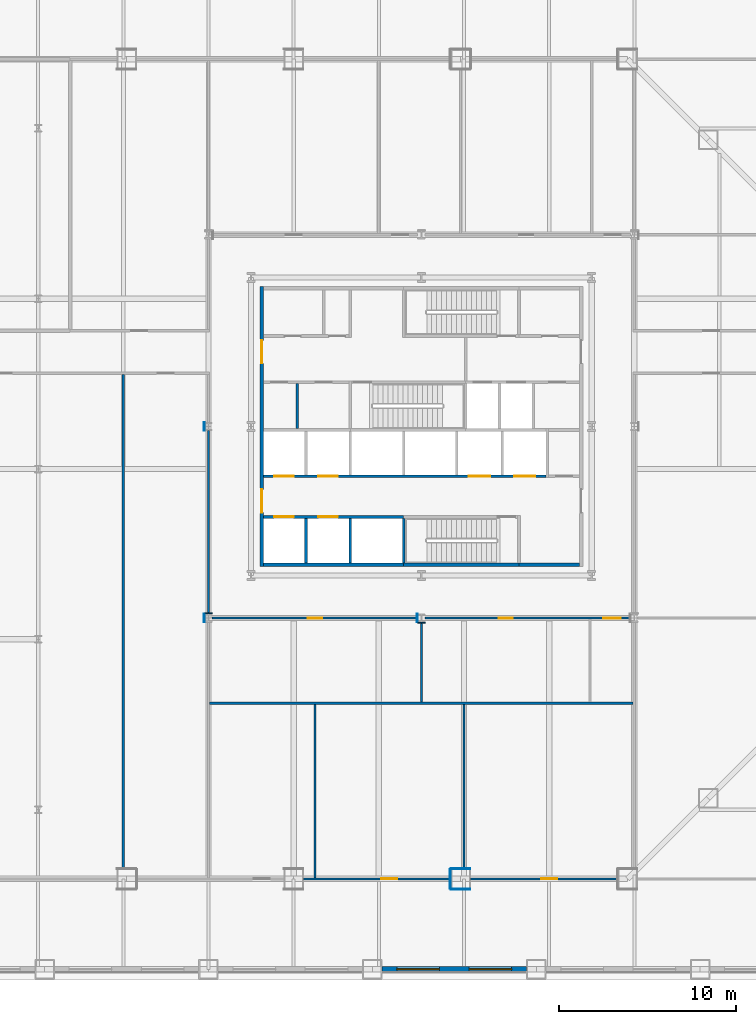
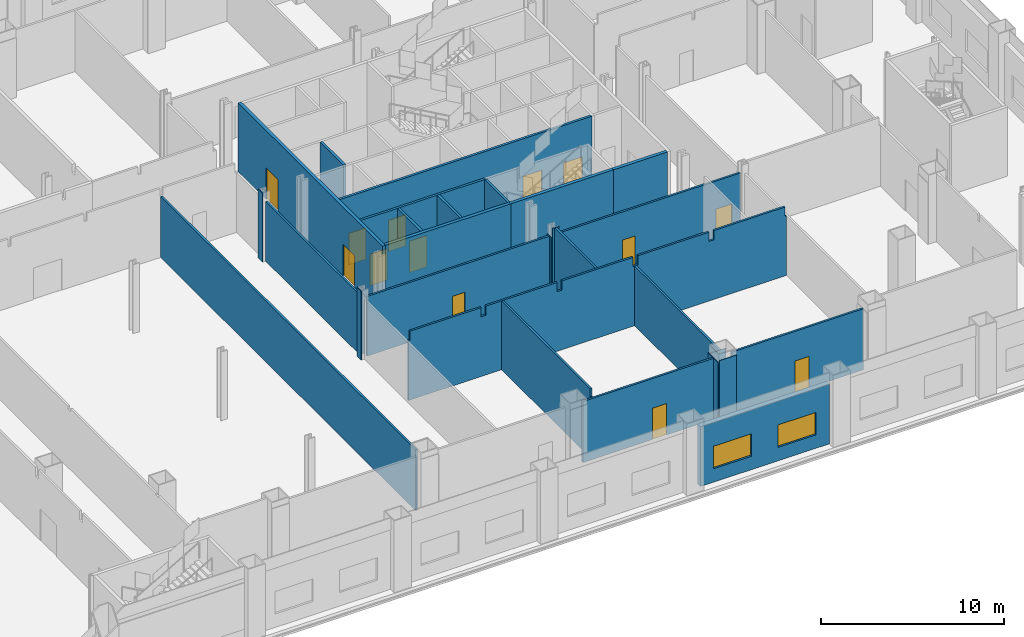
# One storey, part 13 of 26: 29 walls, 13 doors, 2 windows, 15 openings.
"""IFC4 building model written with IfcOpenShell, lengths in metres."""

from ifc_helpers import new_model, si_unit, direction, frame, frame_2d, origin, place, context, subcontext, project, spatial, polyline, rectangle, outline, extrude, material, layer, layer_set, type_object, element, fill, save


model = new_model("IFC4")

# Units and contexts
model_context = context("Model", 3, precision=1e-05, world=origin(), true_north=direction((0.0, 1.0)))
body_context = subcontext(model_context, "Body", "Model", "MODEL_VIEW")
ifc_project = project(units=[si_unit("LENGTHUNIT", "METRE"), si_unit("AREAUNIT", "SQUARE_METRE"), si_unit("VOLUMEUNIT", "CUBIC_METRE"), si_unit("PLANEANGLEUNIT", "RADIAN"), si_unit("MASSUNIT", "GRAM", prefix="KILO")], contexts=[model_context])

# Site, building, storey
site_placement = place(None, origin())
site = spatial("IfcSite", under=ifc_project, at=site_placement, CompositionType="ELEMENT")
building_placement = place(site_placement, origin())
building = spatial("IfcBuilding", under=site, at=building_placement, Name="Cairn Pilgrim Tower", CompositionType="ELEMENT")
storey_placement = place(building_placement, frame((0.0, 0.0, 21.0)))
storey = spatial("IfcBuildingStorey", under=building, at=storey_placement, Name="L03", CompositionType="ELEMENT", Elevation=21.0)

# Walls
ifc_material_1 = material(Name="Concrete C32/40", Category="concrete")
ifc_layer_1 = layer(ifc_material_1, 0.199951171875)
ifc_layer_set_1 = layer_set([ifc_layer_1], Name="CORE OUTER WALL 200 EI 120")
wall_type_1 = type_object("IfcWallType", Name="CORE OUTER WALL 200 EI 120", PredefinedType="SOLIDWALL", material=ifc_layer_set_1)
wall_1_placement = place(storey_placement, frame((-1.699951171875, -5.39990234375, 0.0), z_axis=(0.0, 0.0, 1.0), x_axis=(1.0, 0.0, 0.0)))
element("IfcWall", 1, at=wall_1_placement, inside=storey, type_object=wall_type_1, Name="CW:L03:H01-1", PredefinedType="SOLIDWALL", context=body_context, shape_type="SweptSolid", body=[
    extrude(rectangle(XDim=7.89990234375, YDim=0.199951171875, at=frame_2d((3.949951171875, 0.0))), origin(), (0.0, 0.0, 1.0), 4.60009765625),
])
wall_2_placement = place(storey_placement, frame((12.699951171875, -5.39990234375, 0.0), z_axis=(0.0, 0.0, 1.0), x_axis=(1.0, 0.0, 0.0)))
element("IfcWall", 2, at=wall_2_placement, inside=storey, type_object=wall_type_1, Name="CW:L03:H01-3", PredefinedType="SOLIDWALL", context=body_context, shape_type="SweptSolid", body=[
    extrude(rectangle(XDim=3.400146484375, YDim=0.199951171875, at=frame_2d((1.7001953125, 0.0))), origin(), (0.0, 0.0, 1.0), 4.60009765625),
])

# Wall, openings, doors
wall_3_placement = place(storey_placement, frame((-1.800048828125, -5.5, 0.0), z_axis=(0.0, 0.0, 1.0), x_axis=(0.0, 1.0, 0.0)))
wall_3 = element("IfcWall", 3, at=wall_3_placement, inside=storey, type_object=wall_type_1, Name="CW:L03:V12", PredefinedType="SOLIDWALL", context=body_context, shape_type="SweptSolid", body=[
    extrude(rectangle(XDim=15.800048828125, YDim=0.199951171875, at=frame_2d((7.89990234375, 0.0))), origin(), (0.0, 0.0, 1.0), 4.60009765625),
])
opening_1_placement = place(wall_3_placement, frame((3.050048828125, 0.0, 0.0)))
opening_1 = element("IfcOpeningElement", 4, at=opening_1_placement, cuts=wall_3, Name="Opening CD-W1", PredefinedType="OPENING", context=body_context, shape_type="SweptSolid", body=[
    extrude(rectangle(XDim=1.300048828125, YDim=2.10009765625, at=frame_2d((0.64990234375, 1.050048828125))), frame((0.0, 0.10986328125, 0.0), z_axis=(0.0, -1.0, 0.0), x_axis=(1.0, 0.0, 0.0)), (0.0, 0.0, 1.0), 0.219970703125),
])
opening_2_placement = place(wall_3_placement, frame((11.449951171875, 0.0, 0.0)))
opening_2 = element("IfcOpeningElement", 5, at=opening_2_placement, cuts=wall_3, Name="Opening CD-W2", PredefinedType="OPENING", context=body_context, shape_type="SweptSolid", body=[
    extrude(rectangle(XDim=1.300048828125, YDim=2.10009765625, at=frame_2d((0.64990234375, 1.050048828125))), frame((0.0, 0.10986328125, 0.0), z_axis=(0.0, -1.0, 0.0), x_axis=(1.0, 0.0, 0.0)), (0.0, 0.0, 1.0), 0.219970703125),
])
ifc_material_2 = material(Name="Painted steel", Category="steel")
door_type_1 = type_object("IfcDoorType", Name="CORE LOBBY DOOR 1300x2100", OperationType="DOUBLE_DOOR_SINGLE_SWING", PredefinedType="DOOR", material=ifc_material_2)
door_1_placement = place(opening_1_placement, origin())
door_1 = element("IfcDoor", 6, at=door_1_placement, inside=storey, type_object=door_type_1, Name="CD-W1", OperationType="DOUBLE_DOOR_SINGLE_SWING", OverallHeight=2.10009765625, OverallWidth=1.300048828125, PredefinedType="DOOR", context=body_context, shape_type="SweptSolid", body=[
    extrude(rectangle(XDim=1.300048828125, YDim=2.10009765625, at=frame_2d((0.64990234375, 1.050048828125))), frame((0.0, 0.02490234375, 0.0), z_axis=(0.0, -1.0, 0.0), x_axis=(1.0, 0.0, 0.0)), (0.0, 0.0, 1.0), 0.050048828125),
])
fill(opening_1, door_1)
door_2_placement = place(opening_2_placement, origin())
door_2 = element("IfcDoor", 7, at=door_2_placement, inside=storey, type_object=door_type_1, Name="CD-W2", OperationType="DOUBLE_DOOR_SINGLE_SWING", OverallHeight=2.10009765625, OverallWidth=1.300048828125, PredefinedType="DOOR", context=body_context, shape_type="SweptSolid", body=[
    extrude(rectangle(XDim=1.300048828125, YDim=2.10009765625, at=frame_2d((0.64990234375, 1.050048828125))), frame((0.0, 0.02490234375, 0.0), z_axis=(0.0, -1.0, 0.0), x_axis=(1.0, 0.0, 0.0)), (0.0, 0.0, 1.0), 0.050048828125),
])
fill(opening_2, door_2)

# Wall
ifc_layer_2 = layer(ifc_material_1, 0.14990234375)
ifc_layer_set_2 = layer_set([ifc_layer_2], Name="CORE PARTITION 150 EI 60")
wall_type_2 = type_object("IfcWallType", Name="CORE PARTITION 150 EI 60", PredefinedType="PARTITIONING", material=ifc_layer_set_2)
wall_4_placement = place(storey_placement, frame((0.199951171875, 2.27490234375, 0.0), z_axis=(0.0, 0.0, 1.0), x_axis=(0.0, 1.0, 0.0)))
element("IfcWall", 8, at=wall_4_placement, inside=storey, type_object=wall_type_2, Name="CW:L03:V13", PredefinedType="PARTITIONING", context=body_context, shape_type="SweptSolid", body=[
    extrude(rectangle(XDim=2.550048828125, YDim=0.14990234375, at=frame_2d((1.27490234375, 0.0))), origin(), (0.0, 0.0, 1.0), 4.60009765625),
])

# Wall, openings, doors
ifc_layer_3 = layer(ifc_material_1, 0.14990234375)
ifc_layer_set_3 = layer_set([ifc_layer_3], Name="CORE SHAFT WALL 150 EI 120")
wall_type_3 = type_object("IfcWallType", Name="CORE SHAFT WALL 150 EI 120", PredefinedType="SOLIDWALL", material=ifc_layer_set_3)
wall_5_placement = place(storey_placement, frame((-1.699951171875, -2.699951171875, 0.0), z_axis=(0.0, 0.0, 1.0), x_axis=(1.0, 0.0, 0.0)))
wall_5 = element("IfcWall", 9, at=wall_5_placement, inside=storey, type_object=wall_type_3, Name="CW:L03:H02-1", PredefinedType="SOLIDWALL", context=body_context, shape_type="SweptSolid", body=[
    extrude(rectangle(XDim=7.89990234375, YDim=0.14990234375, at=frame_2d((3.949951171875, 0.0))), origin(), (0.0, 0.0, 1.0), 4.60009765625),
])
opening_3_placement = place(wall_5_placement, frame((0.60009765625, 0.0, 0.0)))
opening_3 = element("IfcOpeningElement", 10, at=opening_3_placement, cuts=wall_5, Name="Opening LD-LR1", PredefinedType="OPENING", context=body_context, shape_type="SweptSolid", body=[
    extrude(rectangle(XDim=1.10009765625, YDim=2.10009765625, at=frame_2d((0.550048828125, 1.050048828125))), frame((0.0, 0.0849609375, 0.0), z_axis=(0.0, -1.0, 0.0), x_axis=(1.0, 0.0, 0.0)), (0.0, 0.0, 1.0), 0.169921875),
])
opening_4_placement = place(wall_5_placement, frame((3.10009765625, 0.0, 0.0)))
opening_4 = element("IfcOpeningElement", 11, at=opening_4_placement, cuts=wall_5, Name="Opening LD-LR2", PredefinedType="OPENING", context=body_context, shape_type="SweptSolid", body=[
    extrude(rectangle(XDim=1.10009765625, YDim=2.10009765625, at=frame_2d((0.550048828125, 1.050048828125))), frame((0.0, 0.0849609375, 0.0), z_axis=(0.0, -1.0, 0.0), x_axis=(1.0, 0.0, 0.0)), (0.0, 0.0, 1.0), 0.169921875),
])
ifc_material_3 = material(Name="Stainless steel", Category="steel")
door_type_2 = type_object("IfcDoorType", Name="LIFT LANDING DOOR 1100x2100", OperationType="DOUBLE_DOOR_SLIDING", PredefinedType="DOOR", material=ifc_material_3)
door_3_placement = place(opening_3_placement, origin())
door_3 = element("IfcDoor", 12, at=door_3_placement, inside=storey, type_object=door_type_2, Name="LANDING DOOR LR1", OperationType="DOUBLE_DOOR_SLIDING", OverallHeight=2.10009765625, OverallWidth=1.10009765625, PredefinedType="DOOR", context=body_context, shape_type="SweptSolid", body=[
    extrude(rectangle(XDim=1.10009765625, YDim=2.10009765625, at=frame_2d((0.550048828125, 1.050048828125))), frame((0.0, 0.02490234375, 0.0), z_axis=(0.0, -1.0, 0.0), x_axis=(1.0, 0.0, 0.0)), (0.0, 0.0, 1.0), 0.050048828125),
])
fill(opening_3, door_3)
door_4_placement = place(opening_4_placement, origin())
door_4 = element("IfcDoor", 13, at=door_4_placement, inside=storey, type_object=door_type_2, Name="LANDING DOOR LR2", OperationType="DOUBLE_DOOR_SLIDING", OverallHeight=2.10009765625, OverallWidth=1.10009765625, PredefinedType="DOOR", context=body_context, shape_type="SweptSolid", body=[
    extrude(rectangle(XDim=1.10009765625, YDim=2.10009765625, at=frame_2d((0.550048828125, 1.050048828125))), frame((0.0, 0.02490234375, 0.0), z_axis=(0.0, -1.0, 0.0), x_axis=(1.0, 0.0, 0.0)), (0.0, 0.0, 1.0), 0.050048828125),
])
fill(opening_4, door_4)

wall_6_placement = place(storey_placement, frame((-1.699951171875, -0.39990234375, 0.0), z_axis=(0.0, 0.0, 1.0), x_axis=(1.0, 0.0, 0.0)))
wall_6 = element("IfcWall", 14, at=wall_6_placement, inside=storey, type_object=wall_type_3, Name="CW:L03:H03", PredefinedType="SOLIDWALL", context=body_context, shape_type="SweptSolid", body=[
    extrude(rectangle(XDim=15.925048828125, YDim=0.14990234375, at=frame_2d((7.96240234375, 0.0))), origin(), (0.0, 0.0, 1.0), 4.60009765625),
])
opening_5_placement = place(wall_6_placement, frame((0.60009765625, 0.0, 0.0)))
opening_5 = element("IfcOpeningElement", 15, at=opening_5_placement, cuts=wall_6, Name="Opening LD-LR3", PredefinedType="OPENING", context=body_context, shape_type="SweptSolid", body=[
    extrude(rectangle(XDim=1.10009765625, YDim=2.10009765625, at=frame_2d((0.550048828125, 1.050048828125))), frame((0.0, 0.0849609375, 0.0), z_axis=(0.0, -1.0, 0.0), x_axis=(1.0, 0.0, 0.0)), (0.0, 0.0, 1.0), 0.169921875),
])
opening_6_placement = place(wall_6_placement, frame((3.10009765625, 0.0, 0.0)))
opening_6 = element("IfcOpeningElement", 16, at=opening_6_placement, cuts=wall_6, Name="Opening LD-LR4", PredefinedType="OPENING", context=body_context, shape_type="SweptSolid", body=[
    extrude(rectangle(XDim=1.10009765625, YDim=2.10009765625, at=frame_2d((0.550048828125, 1.050048828125))), frame((0.0, 0.0849609375, 0.0), z_axis=(0.0, -1.0, 0.0), x_axis=(1.0, 0.0, 0.0)), (0.0, 0.0, 1.0), 0.169921875),
])
opening_7_placement = place(wall_6_placement, frame((11.574951171875, 0.0, 0.0)))
opening_7 = element("IfcOpeningElement", 17, at=opening_7_placement, cuts=wall_6, Name="Opening LD-SV1", PredefinedType="OPENING", context=body_context, shape_type="SweptSolid", body=[
    extrude(rectangle(XDim=1.199951171875, YDim=2.10009765625, at=frame_2d((0.60009765625, 1.050048828125))), frame((0.0, 0.0849609375, 0.0), z_axis=(0.0, -1.0, 0.0), x_axis=(1.0, 0.0, 0.0)), (0.0, 0.0, 1.0), 0.169921875),
])
opening_8_placement = place(wall_6_placement, frame((14.125, 0.0, 0.0)))
opening_8 = element("IfcOpeningElement", 18, at=opening_8_placement, cuts=wall_6, Name="Opening LD-SV2", PredefinedType="OPENING", context=body_context, shape_type="SweptSolid", body=[
    extrude(rectangle(XDim=1.199951171875, YDim=2.10009765625, at=frame_2d((0.60009765625, 1.050048828125))), frame((0.0, 0.0849609375, 0.0), z_axis=(0.0, -1.0, 0.0), x_axis=(1.0, 0.0, 0.0)), (0.0, 0.0, 1.0), 0.169921875),
])
door_5_placement = place(opening_5_placement, origin())
door_5 = element("IfcDoor", 19, at=door_5_placement, inside=storey, type_object=door_type_2, Name="LANDING DOOR LR3", OperationType="DOUBLE_DOOR_SLIDING", OverallHeight=2.10009765625, OverallWidth=1.10009765625, PredefinedType="DOOR", context=body_context, shape_type="SweptSolid", body=[
    extrude(rectangle(XDim=1.10009765625, YDim=2.10009765625, at=frame_2d((0.550048828125, 1.050048828125))), frame((0.0, 0.02490234375, 0.0), z_axis=(0.0, -1.0, 0.0), x_axis=(1.0, 0.0, 0.0)), (0.0, 0.0, 1.0), 0.050048828125),
])
fill(opening_5, door_5)
door_6_placement = place(opening_6_placement, origin())
door_6 = element("IfcDoor", 20, at=door_6_placement, inside=storey, type_object=door_type_2, Name="LANDING DOOR LR4", OperationType="DOUBLE_DOOR_SLIDING", OverallHeight=2.10009765625, OverallWidth=1.10009765625, PredefinedType="DOOR", context=body_context, shape_type="SweptSolid", body=[
    extrude(rectangle(XDim=1.10009765625, YDim=2.10009765625, at=frame_2d((0.550048828125, 1.050048828125))), frame((0.0, 0.02490234375, 0.0), z_axis=(0.0, -1.0, 0.0), x_axis=(1.0, 0.0, 0.0)), (0.0, 0.0, 1.0), 0.050048828125),
])
fill(opening_6, door_6)
door_type_3 = type_object("IfcDoorType", Name="LIFT LANDING DOOR 1200x2100", OperationType="DOUBLE_DOOR_SLIDING", PredefinedType="DOOR", material=ifc_material_3)
door_7_placement = place(opening_7_placement, origin())
door_7 = element("IfcDoor", 21, at=door_7_placement, inside=storey, type_object=door_type_3, Name="LANDING DOOR SV1", OperationType="DOUBLE_DOOR_SLIDING", OverallHeight=2.10009765625, OverallWidth=1.199951171875, PredefinedType="DOOR", context=body_context, shape_type="SweptSolid", body=[
    extrude(rectangle(XDim=1.199951171875, YDim=2.10009765625, at=frame_2d((0.60009765625, 1.050048828125))), frame((0.0, 0.02490234375, 0.0), z_axis=(0.0, -1.0, 0.0), x_axis=(1.0, 0.0, 0.0)), (0.0, 0.0, 1.0), 0.050048828125),
])
fill(opening_7, door_7)
door_8_placement = place(opening_8_placement, origin())
door_8 = element("IfcDoor", 22, at=door_8_placement, inside=storey, type_object=door_type_3, Name="LANDING DOOR SV2", OperationType="DOUBLE_DOOR_SLIDING", OverallHeight=2.10009765625, OverallWidth=1.199951171875, PredefinedType="DOOR", context=body_context, shape_type="SweptSolid", body=[
    extrude(rectangle(XDim=1.199951171875, YDim=2.10009765625, at=frame_2d((0.60009765625, 1.050048828125))), frame((0.0, 0.02490234375, 0.0), z_axis=(0.0, -1.0, 0.0), x_axis=(1.0, 0.0, 0.0)), (0.0, 0.0, 1.0), 0.050048828125),
])
fill(opening_8, door_8)

# Walls
for number, where, z_axis, x_axis, name in (
    (23, (0.699951171875, -5.300048828125, 0.0), (0.0, 0.0, 1.0), (0.0, 1.0, 0.0), "CW:L03:V14"),
    (24, (3.199951171875, -5.300048828125, 0.0), (0.0, 0.0, 1.0), (0.0, 1.0, 0.0), "CW:L03:V17"),
):
    element("IfcWall", number, at=place(storey_placement, frame(where, z_axis=z_axis, x_axis=x_axis)), inside=storey, type_object=wall_type_3, Name=name, PredefinedType="SOLIDWALL", context=body_context, shape_type="SweptSolid", body=[
        extrude(rectangle(XDim=2.525146484375, YDim=0.14990234375, at=frame_2d((1.2626953125, 0.0))), origin(), (0.0, 0.0, 1.0), 4.60009765625),
    ])

# Wall, opening, door
ifc_material_4 = material(Name="Gypsum partition")
ifc_layer_4 = layer(ifc_material_4, 0.125)
ifc_layer_set_4 = layer_set([ifc_layer_4], Name="PARTITION 125 DRYWALL EI 60")
wall_type_4 = type_object("IfcWallType", Name="PARTITION 125 DRYWALL EI 60", PredefinedType="PARTITIONING", material=ifc_layer_set_4)
wall_7_placement = place(storey_placement, frame((0.550048828125, -23.10009765625, 0.0), z_axis=(0.0, 0.0, 1.0), x_axis=(1.0, 0.0, 0.0)))
wall_7 = element("IfcWall", 25, at=wall_7_placement, inside=storey, type_object=wall_type_4, Name="PARTITION W011", PredefinedType="PARTITIONING", context=body_context, shape_type="SweptSolid", body=[
    extrude(rectangle(XDim=8.3134765625, YDim=0.125, at=frame_2d((4.15673828125, 0.0))), origin(), (0.0, 0.0, 1.0), 4.080078125),
])
opening_9_placement = place(wall_7_placement, frame((4.39990234375, 0.0, 0.0)))
opening_9 = element("IfcOpeningElement", 26, at=opening_9_placement, cuts=wall_7, Name="Opening 0313", PredefinedType="OPENING", context=body_context, shape_type="SweptSolid", body=[
    extrude(rectangle(XDim=0.89990234375, YDim=2.10009765625, at=frame_2d((0.449951171875, 1.050048828125))), frame((0.0, 0.072509765625, 0.0), z_axis=(0.0, -1.0, 0.0), x_axis=(1.0, 0.0, 0.0)), (0.0, 0.0, 1.0), 0.14501953125),
])
ifc_material_5 = material(Name="Timber door leaf", Category="wood")
door_type_4 = type_object("IfcDoorType", Name="SERVICE DOOR 900x2100 FD30S", OperationType="NOTDEFINED", PredefinedType="DOOR", material=ifc_material_5)
door_9_placement = place(opening_9_placement, frame((0.89990234375, 0.0, 0.0), z_axis=(0.0, 0.0, 1.0), x_axis=(-1.0, 0.0, 0.0)))
door_9 = element("IfcDoor", 27, at=door_9_placement, inside=storey, type_object=door_type_4, Name="DOOR 0313", OperationType="SINGLE_SWING_RIGHT", OverallHeight=2.10009765625, OverallWidth=0.89990234375, PredefinedType="DOOR", context=body_context, shape_type="SweptSolid", body=[
    extrude(rectangle(XDim=0.89990234375, YDim=2.10009765625, at=frame_2d((0.449951171875, 1.050048828125))), frame((0.0, 0.02490234375, 0.0), z_axis=(0.0, -1.0, 0.0), x_axis=(1.0, 0.0, 0.0)), (0.0, 0.0, 1.0), 0.050048828125),
])
fill(opening_9, door_9)

wall_8_placement = place(storey_placement, frame((9.963623046875, -23.10009765625, 0.0), z_axis=(0.0, 0.0, 1.0), x_axis=(1.0, 0.0, 0.0)))
wall_8 = element("IfcWall", 28, at=wall_8_placement, inside=storey, type_object=wall_type_4, Name="PARTITION W012", PredefinedType="PARTITIONING", context=body_context, shape_type="SweptSolid", body=[
    extrude(rectangle(XDim=8.3134765625, YDim=0.125, at=frame_2d((4.15673828125, 0.0))), origin(), (0.0, 0.0, 1.0), 4.080078125),
])
opening_10_placement = place(wall_8_placement, frame((3.986328125, 0.0, 0.0)))
opening_10 = element("IfcOpeningElement", 29, at=opening_10_placement, cuts=wall_8, Name="Opening 0314", PredefinedType="OPENING", context=body_context, shape_type="SweptSolid", body=[
    extrude(rectangle(XDim=0.89990234375, YDim=2.10009765625, at=frame_2d((0.449951171875, 1.050048828125))), frame((0.0, 0.072509765625, 0.0), z_axis=(0.0, -1.0, 0.0), x_axis=(1.0, 0.0, 0.0)), (0.0, 0.0, 1.0), 0.14501953125),
])
door_type_5 = type_object("IfcDoorType", Name="ROOM DOOR 900x2100 FD30S", OperationType="NOTDEFINED", PredefinedType="DOOR", material=ifc_material_5)
door_10_placement = place(opening_10_placement, frame((0.89990234375, 0.0, 0.0), z_axis=(0.0, 0.0, 1.0), x_axis=(-1.0, 0.0, 0.0)))
door_10 = element("IfcDoor", 30, at=door_10_placement, inside=storey, type_object=door_type_5, Name="DOOR 0314", OperationType="SINGLE_SWING_LEFT", OverallHeight=2.10009765625, OverallWidth=0.89990234375, PredefinedType="DOOR", context=body_context, shape_type="SweptSolid", body=[
    extrude(rectangle(XDim=0.89990234375, YDim=2.10009765625, at=frame_2d((0.449951171875, 1.050048828125))), frame((0.0, 0.02490234375, 0.0), z_axis=(0.0, -1.0, 0.0), x_axis=(1.0, 0.0, 0.0)), (0.0, 0.0, 1.0), 0.050048828125),
])
fill(opening_10, door_10)

# Walls
wall_9_placement = place(storey_placement, frame((1.199951171875, -23.03759765625, 0.0), z_axis=(0.0, 0.0, 1.0), x_axis=(0.0, 1.0, 0.0)))
element("IfcWall", 31, at=wall_9_placement, inside=storey, type_object=wall_type_4, Name="PARTITION W016", PredefinedType="PARTITIONING", context=body_context, shape_type="SweptSolid", body=[
    extrude(outline(polyline([(0.0, 0.0), (9.775146484375, 0.0), (9.77490234375, 4.60009765625), (0.08740234375, 4.60009765625), (0.08544921875, 4.080078125), (0.0, 4.080078125), (0.0, 0.0)])), frame((0.0, 0.0625, 0.0), z_axis=(0.0, -1.0, 0.0), x_axis=(1.0, 0.0, 0.0)), (0.0, 0.0, 1.0), 0.125),
])
wall_10_placement = place(storey_placement, frame((-9.60009765625, -22.550048828125, 0.0), z_axis=(0.0, 0.0, 1.0), x_axis=(0.0, 1.0, 0.0)))
element("IfcWall", 32, at=wall_10_placement, inside=storey, type_object=wall_type_4, Name="PARTITION W018", PredefinedType="PARTITIONING", context=body_context, shape_type="SweptSolid", body=[
    extrude(rectangle(XDim=27.887451171875, YDim=0.125, at=frame_2d((13.94384765625, 0.0))), origin(), (0.0, 0.0, 1.0), 4.080078125),
])
wall_11_placement = place(storey_placement, frame((9.60009765625, -22.550048828125, 0.0), z_axis=(0.0, 0.0, 1.0), x_axis=(0.0, 1.0, 0.0)))
element("IfcWall", 33, at=wall_11_placement, inside=storey, type_object=wall_type_4, Name="PARTITION W019", PredefinedType="PARTITIONING", context=body_context, shape_type="SweptSolid", body=[
    extrude(rectangle(XDim=9.28759765625, YDim=0.125, at=frame_2d((4.643798828125, 0.0))), origin(), (0.0, 0.0, 1.0), 3.97998046875),
])
wall_12_placement = place(storey_placement, frame((-4.737548828125, -13.199951171875, 0.0), z_axis=(0.0, 0.0, 1.0), x_axis=(1.0, 0.0, 0.0)))
element("IfcWall", 34, at=wall_12_placement, inside=storey, type_object=wall_type_4, Name="PARTITION W023", PredefinedType="PARTITIONING", context=body_context, shape_type="SweptSolid", body=[
    extrude(outline(polyline([(0.0, 0.0), (23.875, 0.0), (23.875, 3.97998046875), (23.78759765625, 3.97998046875), (23.785400390625, 4.60009765625), (19.28759765625, 4.60009765625), (19.285400390625, 3.97998046875), (18.987548828125, 3.97998046875), (18.985595703125, 4.60009765625), (14.487548828125, 4.60009765625), (14.485595703125, 3.97998046875), (14.1875, 3.97998046875), (14.185546875, 4.60009765625), (9.6875, 4.60009765625), (9.685546875, 3.97998046875), (9.387451171875, 3.97998046875), (9.385498046875, 4.60009765625), (4.887451171875, 4.60009765625), (4.885498046875, 3.97998046875), (4.58740234375, 3.97998046875), (4.58544921875, 4.60009765625), (0.08740234375, 4.60009765625), (0.08544921875, 3.97998046875), (0.0, 3.97998046875), (0.0, 0.0)])), frame((0.0, 0.0625, 0.0), z_axis=(0.0, -1.0, 0.0), x_axis=(1.0, 0.0, 0.0)), (0.0, 0.0, 1.0), 0.125),
])
wall_13_placement = place(storey_placement, frame((7.199951171875, -13.137451171875, 0.0), z_axis=(0.0, 0.0, 1.0), x_axis=(0.0, 1.0, 0.0)))
element("IfcWall", 35, at=wall_13_placement, inside=storey, type_object=wall_type_4, Name="PARTITION W024", PredefinedType="PARTITIONING", context=body_context, shape_type="SweptSolid", body=[
    extrude(rectangle(XDim=4.50048828125, YDim=0.125, at=frame_2d((2.250244140625, 0.0))), origin(), (0.0, 0.0, 1.0), 4.60009765625),
])

# Wall, opening, door
wall_14_placement = place(storey_placement, frame((-4.587890625, -8.39990234375, 0.0), z_axis=(0.0, 0.0, 1.0), x_axis=(1.0, 0.0, 0.0)))
wall_14 = element("IfcWall", 36, at=wall_14_placement, inside=storey, type_object=wall_type_4, Name="PARTITION W029", PredefinedType="PARTITIONING", context=body_context, shape_type="SweptSolid", body=[
    extrude(rectangle(XDim=11.575927734375, YDim=0.125, at=frame_2d((5.7880859375, 0.0))), origin(), (0.0, 0.0, 1.0), 3.97998046875),
])
opening_11_placement = place(wall_14_placement, frame((5.387939453125, 0.0, 0.0)))
opening_11 = element("IfcOpeningElement", 37, at=opening_11_placement, cuts=wall_14, Name="Opening 0309", PredefinedType="OPENING", context=body_context, shape_type="SweptSolid", body=[
    extrude(rectangle(XDim=0.800048828125, YDim=2.10009765625, at=frame_2d((0.39990234375, 1.050048828125))), frame((0.0, 0.072509765625, 0.0), z_axis=(0.0, -1.0, 0.0), x_axis=(1.0, 0.0, 0.0)), (0.0, 0.0, 1.0), 0.14501953125),
])
door_type_6 = type_object("IfcDoorType", Name="WC DOOR 800x2100 FD30S", OperationType="NOTDEFINED", PredefinedType="DOOR", material=ifc_material_5)
door_11_placement = place(opening_11_placement, origin())
door_11 = element("IfcDoor", 38, at=door_11_placement, inside=storey, type_object=door_type_6, Name="DOOR 0309", OperationType="SINGLE_SWING_RIGHT", OverallHeight=2.10009765625, OverallWidth=0.800048828125, PredefinedType="DOOR", context=body_context, shape_type="SweptSolid", body=[
    extrude(rectangle(XDim=0.800048828125, YDim=2.10009765625, at=frame_2d((0.39990234375, 1.050048828125))), frame((0.0, 0.02490234375, 0.0), z_axis=(0.0, -1.0, 0.0), x_axis=(1.0, 0.0, 0.0)), (0.0, 0.0, 1.0), 0.050048828125),
])
fill(opening_11, door_11)

# Wall, openings, doors
wall_15_placement = place(storey_placement, frame((7.412109375, -8.39990234375, 0.0), z_axis=(0.0, 0.0, 1.0), x_axis=(1.0, 0.0, 0.0)))
wall_15 = element("IfcWall", 39, at=wall_15_placement, inside=storey, type_object=wall_type_4, Name="PARTITION W030", PredefinedType="PARTITIONING", context=body_context, shape_type="SweptSolid", body=[
    extrude(rectangle(XDim=11.575927734375, YDim=0.125, at=frame_2d((5.7880859375, 0.0))), origin(), (0.0, 0.0, 1.0), 3.97998046875),
])
opening_12_placement = place(wall_15_placement, frame((4.137939453125, 0.0, 0.0)))
opening_12 = element("IfcOpeningElement", 40, at=opening_12_placement, cuts=wall_15, Name="Opening 0310", PredefinedType="OPENING", context=body_context, shape_type="SweptSolid", body=[
    extrude(rectangle(XDim=0.800048828125, YDim=2.10009765625, at=frame_2d((0.39990234375, 1.050048828125))), frame((0.0, 0.072509765625, 0.0), z_axis=(0.0, -1.0, 0.0), x_axis=(1.0, 0.0, 0.0)), (0.0, 0.0, 1.0), 0.14501953125),
])
opening_13_placement = place(wall_15_placement, frame((10.0380859375, 0.0, 0.0)))
opening_13 = element("IfcOpeningElement", 41, at=opening_13_placement, cuts=wall_15, Name="Opening 0311", PredefinedType="OPENING", context=body_context, shape_type="SweptSolid", body=[
    extrude(rectangle(XDim=1.0, YDim=2.10009765625, at=frame_2d((0.5, 1.050048828125))), frame((0.0, 0.072509765625, 0.0), z_axis=(0.0, -1.0, 0.0), x_axis=(1.0, 0.0, 0.0)), (0.0, 0.0, 1.0), 0.14501953125),
])
door_type_7 = type_object("IfcDoorType", Name="ACCESSIBLE DOOR 1000x2100 FD30S", OperationType="NOTDEFINED", PredefinedType="DOOR", material=ifc_material_5)
door_12_placement = place(opening_13_placement, origin())
door_12 = element("IfcDoor", 42, at=door_12_placement, inside=storey, type_object=door_type_7, Name="DOOR 0311", OperationType="SINGLE_SWING_LEFT", OverallHeight=2.10009765625, OverallWidth=1.0, PredefinedType="DOOR", context=body_context, shape_type="SweptSolid", body=[
    extrude(rectangle(XDim=1.0, YDim=2.10009765625, at=frame_2d((0.5, 1.050048828125))), frame((0.0, 0.02490234375, 0.0), z_axis=(0.0, -1.0, 0.0), x_axis=(1.0, 0.0, 0.0)), (0.0, 0.0, 1.0), 0.050048828125),
])
fill(opening_13, door_12)
door_13_placement = place(opening_12_placement, origin())
door_13 = element("IfcDoor", 43, at=door_13_placement, inside=storey, type_object=door_type_6, Name="DOOR 0310", OperationType="SINGLE_SWING_LEFT", OverallHeight=2.10009765625, OverallWidth=0.800048828125, PredefinedType="DOOR", context=body_context, shape_type="SweptSolid", body=[
    extrude(rectangle(XDim=0.800048828125, YDim=2.10009765625, at=frame_2d((0.39990234375, 1.050048828125))), frame((0.0, 0.02490234375, 0.0), z_axis=(0.0, -1.0, 0.0), x_axis=(1.0, 0.0, 0.0)), (0.0, 0.0, 1.0), 0.050048828125),
])
fill(opening_12, door_13)

# Walls
wall_16_placement = place(storey_placement, frame((-4.800048828125, -8.1630859375, 0.0), z_axis=(0.0, 0.0, 1.0), x_axis=(0.0, 1.0, 0.0)))
element("IfcWall", 44, at=wall_16_placement, inside=storey, type_object=wall_type_4, Name="PARTITION W032", PredefinedType="PARTITIONING", context=body_context, shape_type="SweptSolid", body=[
    extrude(rectangle(XDim=10.326171875, YDim=0.125, at=frame_2d((5.1630859375, 0.0))), origin(), (0.0, 0.0, 1.0), 3.97998046875),
])
ifc_layer_5 = layer(ifc_material_4, 0.050048828125)
ifc_layer_set_5 = layer_set([ifc_layer_5], Name="PARTITION 50 DRYWALL EI 60")
wall_type_5 = type_object("IfcWallType", Name="PARTITION 50 DRYWALL EI 60", PredefinedType="PARTITIONING", material=ifc_layer_set_5)
wall_17_placement = place(storey_placement, frame((8.863525390625, -22.52490234375, 0.0), z_axis=(0.0, 0.0, 1.0), x_axis=(1.0, 0.0, 0.0)))
element("IfcWall", 45, at=wall_17_placement, inside=storey, type_object=wall_type_5, Name="COLUMN CASING WC07", PredefinedType="PARTITIONING", context=body_context, shape_type="SweptSolid", body=[
    extrude(rectangle(XDim=1.10009765625, YDim=0.050048828125, at=frame_2d((0.550048828125, 0.0))), origin(), (0.0, 0.0, 1.0), 3.97998046875),
])
wall_18_placement = place(storey_placement, frame((8.863525390625, -23.675048828125, 0.0), z_axis=(0.0, 0.0, 1.0), x_axis=(1.0, 0.0, 0.0)))
element("IfcWall", 46, at=wall_18_placement, inside=storey, type_object=wall_type_5, Name="COLUMN CASING WC08", PredefinedType="PARTITIONING", context=body_context, shape_type="SweptSolid", body=[
    extrude(rectangle(XDim=1.10009765625, YDim=0.050048828125, at=frame_2d((0.550048828125, 0.0))), origin(), (0.0, 0.0, 1.0), 4.219970703125),
])
wall_19_placement = place(storey_placement, frame((-5.037109375, -8.636962890625, 0.0), z_axis=(0.0, 0.0, 1.0), x_axis=(0.0, 1.0, 0.0)))
element("IfcWall", 47, at=wall_19_placement, inside=storey, type_object=wall_type_5, Name="COLUMN CASING WC12", PredefinedType="PARTITIONING", context=body_context, shape_type="SweptSolid", body=[
    extrude(rectangle(XDim=0.473876953125, YDim=0.050048828125, at=frame_2d((0.23681640625, 0.0))), origin(), (0.0, 0.0, 1.0), 4.60009765625),
])
wall_20_placement = place(storey_placement, frame((8.838623046875, -23.64990234375, 0.0), z_axis=(0.0, 0.0, 1.0), x_axis=(0.0, 1.0, 0.0)))
element("IfcWall", 48, at=wall_20_placement, inside=storey, type_object=wall_type_5, Name="COLUMN CASING WC13", PredefinedType="PARTITIONING", context=body_context, shape_type="SweptSolid", body=[
    extrude(rectangle(XDim=1.099853515625, YDim=0.050048828125, at=frame_2d((0.5498046875, 0.0))), origin(), (0.0, 0.0, 1.0), 4.080078125),
])
wall_21_placement = place(storey_placement, frame((6.962890625, -8.636962890625, 0.0), z_axis=(0.0, 0.0, 1.0), x_axis=(0.0, 1.0, 0.0)))
element("IfcWall", 49, at=wall_21_placement, inside=storey, type_object=wall_type_5, Name="COLUMN CASING WC22", PredefinedType="PARTITIONING", context=body_context, shape_type="SweptSolid", body=[
    extrude(rectangle(XDim=0.473876953125, YDim=0.050048828125, at=frame_2d((0.23681640625, 0.0))), origin(), (0.0, 0.0, 1.0), 3.97998046875),
])
wall_22_placement = place(storey_placement, frame((-5.037109375, 2.1630859375, 0.0), z_axis=(0.0, 0.0, 1.0), x_axis=(0.0, 1.0, 0.0)))
element("IfcWall", 50, at=wall_22_placement, inside=storey, type_object=wall_type_5, Name="COLUMN CASING WC23", PredefinedType="PARTITIONING", context=body_context, shape_type="SweptSolid", body=[
    extrude(rectangle(XDim=0.473876953125, YDim=0.050048828125, at=frame_2d((0.23681640625, 0.0))), origin(), (0.0, 0.0, 1.0), 4.60009765625),
])
wall_23_placement = place(storey_placement, frame((-5.011962890625, -8.137939453125, 0.0), z_axis=(0.0, 0.0, 1.0), x_axis=(1.0, 0.0, 0.0)))
element("IfcWall", 51, at=wall_23_placement, inside=storey, type_object=wall_type_5, Name="COLUMN CASING WC24", PredefinedType="PARTITIONING", context=body_context, shape_type="SweptSolid", body=[
    extrude(rectangle(XDim=0.424072265625, YDim=0.050048828125, at=frame_2d((0.2119140625, 0.0))), origin(), (0.0, 0.0, 1.0), 3.97998046875),
])
wall_24_placement = place(storey_placement, frame((6.988037109375, -8.662109375, 0.0), z_axis=(0.0, 0.0, 1.0), x_axis=(1.0, 0.0, 0.0)))
element("IfcWall", 52, at=wall_24_placement, inside=storey, type_object=wall_type_5, Name="COLUMN CASING WC25", PredefinedType="PARTITIONING", context=body_context, shape_type="SweptSolid", body=[
    extrude(rectangle(XDim=0.424072265625, YDim=0.050048828125, at=frame_2d((0.2119140625, 0.0))), origin(), (0.0, 0.0, 1.0), 4.60009765625),
])

# Wall, openings, windows
ifc_material_6 = material(Name="Concrete C35/45 backup wall with bronze aluminium cladding", Category="concrete")
ifc_layer_6 = layer(ifc_material_6, 0.300048828125)
ifc_layer_set_6 = layer_set([ifc_layer_6], Name="PODIUM WALL 300 BRONZE-CLAD")
wall_type_6 = type_object("IfcWallType", Name="PODIUM WALL 300 BRONZE-CLAD", PredefinedType="SOLIDWALL", material=ifc_layer_set_6)
wall_25_placement = place(storey_placement, frame((4.98779296875, -28.199951171875, 0.0), z_axis=(0.0, 0.0, 1.0), x_axis=(1.0, 0.0, 0.0)))
wall_25 = element("IfcWall", 53, at=wall_25_placement, inside=storey, type_object=wall_type_6, Name="PODIUM EXTERNAL WALL S6-S7", PredefinedType="SOLIDWALL", context=body_context, shape_type="SweptSolid", body=[
    extrude(rectangle(XDim=8.137939453125, YDim=0.300048828125, at=frame_2d((4.06884765625, 0.0))), origin(), (0.0, 0.0, 1.0), 4.0),
])
opening_14_placement = place(wall_25_placement, frame((0.83447265625, 0.0, 0.89990234375)))
opening_14 = element("IfcOpeningElement", 54, at=opening_14_placement, cuts=wall_25, Name="Opening PW15", PredefinedType="OPENING", context=body_context, shape_type="SweptSolid", body=[
    extrude(rectangle(XDim=2.39990234375, YDim=1.5, at=frame_2d((1.199951171875, 0.75))), frame((0.0, 0.16015625, 0.0), z_axis=(0.0, -1.0, 0.0), x_axis=(1.0, 0.0, 0.0)), (0.0, 0.0, 1.0), 0.320068359375),
])
opening_15_placement = place(wall_25_placement, frame((4.9033203125, 0.0, 0.89990234375)))
opening_15 = element("IfcOpeningElement", 55, at=opening_15_placement, cuts=wall_25, Name="Opening PW15", PredefinedType="OPENING", context=body_context, shape_type="SweptSolid", body=[
    extrude(rectangle(XDim=2.39990234375, YDim=1.5, at=frame_2d((1.199951171875, 0.75))), frame((0.0, 0.16015625, 0.0), z_axis=(0.0, -1.0, 0.0), x_axis=(1.0, 0.0, 0.0)), (0.0, 0.0, 1.0), 0.320068359375),
])
ifc_material_7 = material(Name="Bronze anodised aluminium frame with tinted low-E glass", Category="aluminium")
window_type = type_object("IfcWindowType", Name="PODIUM FIXED WINDOW 2400x1500", PartitioningType="SINGLE_PANEL", PredefinedType="WINDOW", material=ifc_material_7)
window_1_placement = place(opening_14_placement, origin())
window_1 = element("IfcWindow", 56, at=window_1_placement, inside=storey, type_object=window_type, Name="PODIUM WINDOW", OverallHeight=1.5, OverallWidth=2.39990234375, PartitioningType="SINGLE_PANEL", PredefinedType="WINDOW", context=body_context, shape_type="SweptSolid", body=[
    extrude(rectangle(XDim=2.39990234375, YDim=1.5, at=frame_2d((1.199951171875, 0.75))), frame((0.0, 0.030029296875, 0.0), z_axis=(0.0, -1.0, 0.0), x_axis=(1.0, 0.0, 0.0)), (0.0, 0.0, 1.0), 0.06005859375),
])
fill(opening_14, window_1)
window_2_placement = place(opening_15_placement, origin())
window_2 = element("IfcWindow", 57, at=window_2_placement, inside=storey, type_object=window_type, Name="PODIUM WINDOW", OverallHeight=1.5, OverallWidth=2.39990234375, PartitioningType="SINGLE_PANEL", PredefinedType="WINDOW", context=body_context, shape_type="SweptSolid", body=[
    extrude(rectangle(XDim=2.39990234375, YDim=1.5, at=frame_2d((1.199951171875, 0.75))), frame((0.0, 0.030029296875, 0.0), z_axis=(0.0, -1.0, 0.0), x_axis=(1.0, 0.0, 0.0)), (0.0, 0.0, 1.0), 0.06005859375),
])
fill(opening_15, window_2)

# Walls
ifc_material_8 = material(Name="Concrete C35/45", Category="concrete")
ifc_layer_7 = layer(ifc_material_8, 0.14990234375)
ifc_layer_set_7 = layer_set([ifc_layer_7], Name="STAIR SHAFT WALL 150 EI 120")
wall_type_7 = type_object("IfcWallType", Name="STAIR SHAFT WALL 150 EI 120", PredefinedType="SOLIDWALL", material=ifc_layer_set_7)
wall_26_placement = place(storey_placement, frame((6.199951171875, -5.300048828125, 0.0), z_axis=(0.0, 0.0, 1.0), x_axis=(0.0, 1.0, 0.0)))
element("IfcWall", 58, at=wall_26_placement, inside=storey, type_object=wall_type_7, Name="CW:L03:V21", PredefinedType="SOLIDWALL", context=body_context, shape_type="SweptSolid", body=[
    extrude(rectangle(XDim=2.525146484375, YDim=0.14990234375, at=frame_2d((1.2626953125, 0.0))), origin(), (0.0, 0.0, 1.0), 4.60009765625),
])
ifc_layer_8 = layer(ifc_material_8, 0.199951171875)
ifc_layer_set_8 = layer_set([ifc_layer_8], Name="STAIR SHAFT WALL 200 EI 120")
wall_type_8 = type_object("IfcWallType", Name="STAIR SHAFT WALL 200 EI 120", PredefinedType="SOLIDWALL", material=ifc_layer_set_8)
wall_27_placement = place(storey_placement, frame((6.199951171875, -5.39990234375, 0.0), z_axis=(0.0, 0.0, 1.0), x_axis=(1.0, 0.0, 0.0)))
element("IfcWall", 59, at=wall_27_placement, inside=storey, type_object=wall_type_8, Name="CW:L03:H01-2", PredefinedType="SOLIDWALL", context=body_context, shape_type="SweptSolid", body=[
    extrude(rectangle(XDim=6.5, YDim=0.199951171875, at=frame_2d((3.25, 0.0))), origin(), (0.0, 0.0, 1.0), 4.60009765625),
])

save(model, "model.ifc")
